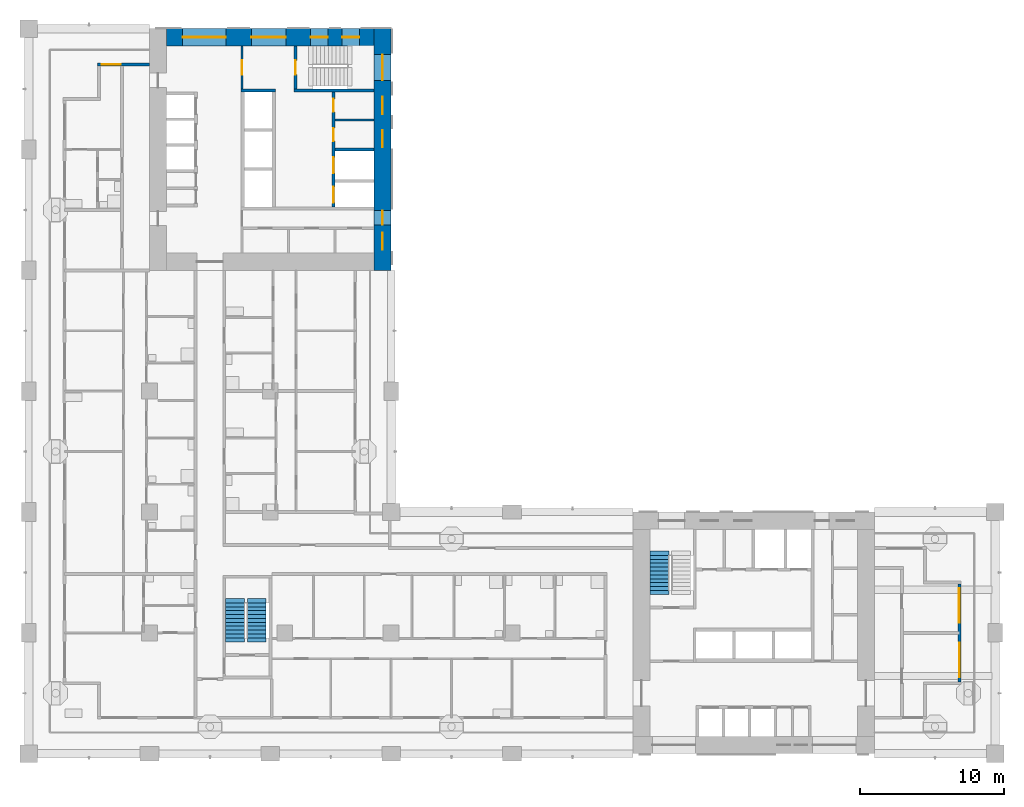
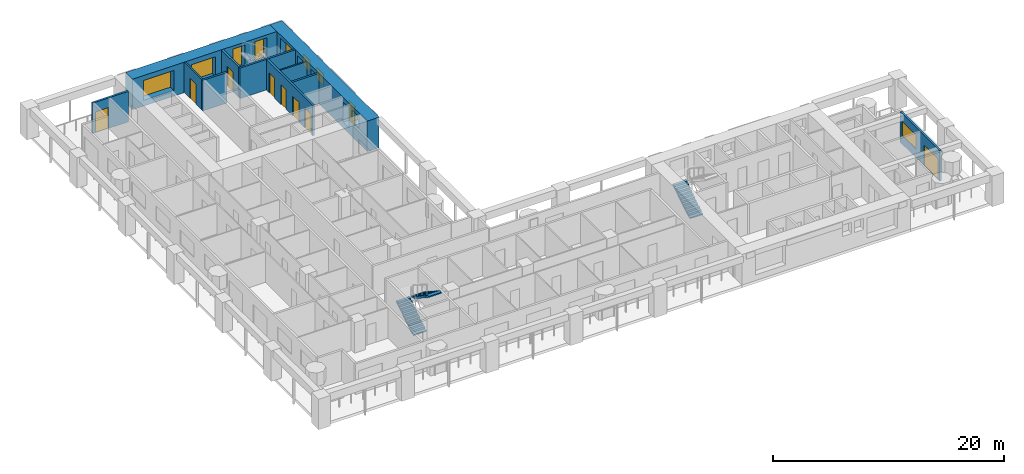
# One storey, part 8 of 19: 11 walls, 10 windows, 8 doors, 3 stair flights, 18 openings, 2 elements without a shape of their own.
"""IFC4 building model written with IfcOpenShell, lengths in metres."""

from ifc_helpers import new_model, si_unit, direction, frame, frame_2d, origin, place, context, subcontext, project, spatial, polyline, rectangle, outline, extrude, material, layer, layer_set, type_object, element, fill, aggregate, save


model = new_model("IFC4")

# Units and contexts
model_context = context("Model", 3, precision=1e-05, world=origin(), true_north=direction((0.0, 1.0)))
body_context = subcontext(model_context, "Body", "Model", "MODEL_VIEW")
ifc_project = project(units=[si_unit("LENGTHUNIT", "METRE"), si_unit("AREAUNIT", "SQUARE_METRE"), si_unit("VOLUMEUNIT", "CUBIC_METRE"), si_unit("PLANEANGLEUNIT", "RADIAN"), si_unit("MASSUNIT", "GRAM", prefix="KILO")], contexts=[model_context])

# Site, building, storey
site_placement = place(None, origin())
site = spatial("IfcSite", under=ifc_project, at=site_placement, CompositionType="ELEMENT")
building_placement = place(site_placement, origin())
building = spatial("IfcBuilding", under=site, at=building_placement, Name="Vermilion Gate Residences", CompositionType="ELEMENT")
storey_placement = place(building_placement, frame((0.0, 0.0, 119.699951171875)))
storey = spatial("IfcBuildingStorey", under=building, at=storey_placement, Name="L30", CompositionType="ELEMENT", Elevation=119.699951171875)

# Wall
ifc_material_1 = material(Name="Masonry blockwork", Category="masonry")
ifc_layer_1 = layer(ifc_material_1, 0.14990234375)
ifc_layer_set_1 = layer_set([ifc_layer_1], Name="BLOCKWORK PARTITION 150 EI 120")
wall_type_1 = type_object("IfcWallType", Name="BLOCKWORK PARTITION 150 EI 120", PredefinedType="PARTITIONING", material=ifc_layer_set_1)
wall_1_placement = place(storey_placement, frame((21.300048828125, 52.449951171875, 0.0), z_axis=(0.0, 0.0, 1.0), x_axis=(1.0, 0.0, 0.0)))
element("IfcWall", 1, at=wall_1_placement, inside=storey, type_object=wall_type_1, Name="Core room partition B30-NR-P0", PredefinedType="PARTITIONING", context=body_context, shape_type="SweptSolid", body=[
    extrude(rectangle(XDim=2.699951171875, YDim=0.14990234375, at=frame_2d((1.35009765625, 0.0))), origin(), (0.0, 0.0, 1.0), 3.219970703125),
])

# Wall, opening, door
wall_2_placement = place(storey_placement, frame((14.824951171875, 57.60009765625, 0.0), z_axis=(0.0, 0.0, 1.0), x_axis=(0.0, -1.0, 0.0)))
wall_2 = element("IfcWall", 2, at=wall_2_placement, inside=storey, type_object=wall_type_1, Name="Core room partition B30-VW-S", PredefinedType="PARTITIONING", context=body_context, shape_type="SweptSolid", body=[
    extrude(rectangle(XDim=3.0, YDim=0.14990234375, at=frame_2d((1.5, 0.0))), origin(), (0.0, 0.0, 1.0), 3.219970703125),
])
opening_1_placement = place(wall_2_placement, frame((1.0, 0.0, 0.0)))
opening_1 = element("IfcOpeningElement", 3, at=opening_1_placement, cuts=wall_2, Name="Opening DK30113", PredefinedType="OPENING", context=body_context, shape_type="SweptSolid", body=[
    extrude(rectangle(XDim=1.0, YDim=2.10009765625, at=frame_2d((0.5, 1.050048828125))), frame((0.0, 0.0849609375, 0.0), z_axis=(0.0, -1.0, 0.0), x_axis=(1.0, 0.0, 0.0)), (0.0, 0.0, 1.0), 0.169921875),
])
ifc_material_2 = material(Name="Steel", Category="steel")
door_type_1 = type_object("IfcDoorType", Name="FIRE DOOR FD60 1000 X 2100", OperationType="SINGLE_SWING_LEFT", PredefinedType="DOOR", material=ifc_material_2)
door_1_placement = place(opening_1_placement, frame((1.0, 0.0, 0.0), z_axis=(0.0, 0.0, 1.0), x_axis=(-1.0, 0.0, 0.0)))
door_1 = element("IfcDoor", 4, at=door_1_placement, inside=storey, type_object=door_type_1, Name="Stair vestibule door B30", OperationType="SINGLE_SWING_RIGHT", OverallHeight=2.10009765625, OverallWidth=1.0, PredefinedType="DOOR", context=body_context, shape_type="SweptSolid", body=[
    extrude(rectangle(XDim=1.0, YDim=2.10009765625, at=frame_2d((0.5, 1.050048828125))), frame((0.0, 0.02490234375, 0.0), z_axis=(0.0, -1.0, 0.0), x_axis=(1.0, 0.0, 0.0)), (0.0, 0.0, 1.0), 0.050048828125),
])
fill(opening_1, door_1)

ifc_material_3 = material(Name="Insulated steel stud wall with terracotta rainscreen", Category="masonry")
ifc_layer_2 = layer(ifc_material_3, 0.199951171875)
ifc_layer_set_2 = layer_set([ifc_layer_2], Name="EXTERNAL WALL 200 TERRACOTTA RAINSCREEN")
wall_type_2 = type_object("IfcWallType", Name="EXTERNAL WALL 200 TERRACOTTA RAINSCREEN", PredefinedType="SOLIDWALL", material=ifc_layer_set_2)
wall_3_placement = place(storey_placement, frame((8.39990234375, 56.300048828125, 0.0), z_axis=(0.0, 0.0, 1.0), x_axis=(-1.0, 0.0, 0.0)))
wall_3 = element("IfcWall", 5, at=wall_3_placement, inside=storey, type_object=wall_type_2, Name="External wall", PredefinedType="SOLIDWALL", context=body_context, shape_type="SweptSolid", body=[
    extrude(rectangle(XDim=3.599853515625, YDim=0.199951171875, at=frame_2d((1.7998046875, 0.0))), origin(), (0.0, 0.0, 1.0), 3.219970703125),
])
opening_2_placement = place(wall_3_placement, frame((2.0, 0.0, 0.0)))
opening_2 = element("IfcOpeningElement", 6, at=opening_2_placement, cuts=wall_3, Name="Opening DE30001", PredefinedType="OPENING", context=body_context, shape_type="SweptSolid", body=[
    extrude(rectangle(XDim=1.300048828125, YDim=2.199951171875, at=frame_2d((0.64990234375, 1.10009765625))), frame((0.0, 0.10986328125, 0.0), z_axis=(0.0, -1.0, 0.0), x_axis=(1.0, 0.0, 0.0)), (0.0, 0.0, 1.0), 0.219970703125),
])
ifc_material_4 = material(Name="Aluminium and clear glass", Category="aluminium")
door_type_2 = type_object("IfcDoorType", Name="SLIDING GLAZED DOOR 1300 X 2200", OperationType="DOUBLE_DOOR_SLIDING", PredefinedType="DOOR", material=ifc_material_4)
door_2_placement = place(opening_2_placement, origin())
door_2 = element("IfcDoor", 7, at=door_2_placement, inside=storey, type_object=door_type_2, Name="Loggia sliding door", OperationType="DOUBLE_DOOR_SLIDING", OverallHeight=2.199951171875, OverallWidth=1.300048828125, PredefinedType="DOOR", context=body_context, shape_type="SweptSolid", body=[
    extrude(rectangle(XDim=1.300048828125, YDim=2.199951171875, at=frame_2d((0.64990234375, 1.10009765625))), frame((0.0, 0.02490234375, 0.0), z_axis=(0.0, -1.0, 0.0), x_axis=(1.0, 0.0, 0.0)), (0.0, 0.0, 1.0), 0.050048828125),
])
fill(opening_2, door_2)

# Wall, openings, door, window
wall_4_placement = place(storey_placement, frame((64.699951171875, 13.39990234375, 0.0), z_axis=(0.0, 0.0, 1.0), x_axis=(0.0, 1.0, 0.0)))
wall_4 = element("IfcWall", 8, at=wall_4_placement, inside=storey, type_object=wall_type_2, Name="External wall", PredefinedType="SOLIDWALL", context=body_context, shape_type="SweptSolid", body=[
    extrude(rectangle(XDim=6.800048828125, YDim=0.199951171875, at=frame_2d((3.39990234375, 0.0))), origin(), (0.0, 0.0, 1.0), 3.219970703125),
])
opening_3_placement = place(wall_4_placement, frame((4.10009765625, 0.0, 0.89990234375)))
opening_3 = element("IfcOpeningElement", 9, at=opening_3_placement, cuts=wall_4, Name="Opening WE30022", PredefinedType="OPENING", context=body_context, shape_type="SweptSolid", body=[
    extrude(rectangle(XDim=2.39990234375, YDim=1.5, at=frame_2d((1.199951171875, 0.75))), frame((0.0, 0.10986328125, 0.0), z_axis=(0.0, -1.0, 0.0), x_axis=(1.0, 0.0, 0.0)), (0.0, 0.0, 1.0), 0.219970703125),
])
opening_4_placement = place(wall_4_placement, frame((0.300048828125, 0.0, 0.0)))
opening_4 = element("IfcOpeningElement", 10, at=opening_4_placement, cuts=wall_4, Name="Opening DE30028", PredefinedType="OPENING", context=body_context, shape_type="SweptSolid", body=[
    extrude(rectangle(XDim=2.39990234375, YDim=2.199951171875, at=frame_2d((1.199951171875, 1.10009765625))), frame((0.0, 0.10986328125, 0.0), z_axis=(0.0, -1.0, 0.0), x_axis=(1.0, 0.0, 0.0)), (0.0, 0.0, 1.0), 0.219970703125),
])
ifc_material_5 = material(Name="Aluminium and clear glass", Category="aluminium")
door_type_3 = type_object("IfcDoorType", Name="SLIDING GLAZED DOOR 2400 X 2200", OperationType="DOUBLE_DOOR_SLIDING", PredefinedType="DOOR", material=ifc_material_5)
door_3_placement = place(opening_4_placement, origin())
door_3 = element("IfcDoor", 11, at=door_3_placement, inside=storey, type_object=door_type_3, Name="Loggia sliding door", OperationType="DOUBLE_DOOR_SLIDING", OverallHeight=2.199951171875, OverallWidth=2.39990234375, PredefinedType="DOOR", context=body_context, shape_type="SweptSolid", body=[
    extrude(rectangle(XDim=2.39990234375, YDim=2.199951171875, at=frame_2d((1.199951171875, 1.10009765625))), frame((0.0, 0.02490234375, 0.0), z_axis=(0.0, -1.0, 0.0), x_axis=(1.0, 0.0, 0.0)), (0.0, 0.0, 1.0), 0.050048828125),
])
fill(opening_4, door_3)
ifc_material_6 = material(Name="Aluminium and clear glass", Category="aluminium")
window_type_1 = type_object("IfcWindowType", Name="WINDOW 2400 X 1500", PartitioningType="SINGLE_PANEL", PredefinedType="WINDOW", material=ifc_material_6)
window_1_placement = place(opening_3_placement, origin())
window_1 = element("IfcWindow", 12, at=window_1_placement, inside=storey, type_object=window_type_1, Name="Window", OverallHeight=1.5, OverallWidth=2.39990234375, PartitioningType="SINGLE_PANEL", PredefinedType="WINDOW", context=body_context, shape_type="SweptSolid", body=[
    extrude(rectangle(XDim=2.39990234375, YDim=1.5, at=frame_2d((1.199951171875, 0.75))), frame((0.0, 0.030029296875, 0.0), z_axis=(0.0, -1.0, 0.0), x_axis=(1.0, 0.0, 0.0)), (0.0, 0.0, 1.0), 0.06005859375),
])
fill(opening_3, window_1)

# Wall
ifc_material_7 = material(Name="Concrete C60", Category="concrete")
ifc_layer_3 = layer(ifc_material_7, 0.199951171875)
ifc_layer_set_3 = layer_set([ifc_layer_3], Name="RC CORE INTERNAL WALL 200 C60")
wall_type_3 = type_object("IfcWallType", Name="RC CORE INTERNAL WALL 200 C60", PredefinedType="SHEAR", material=ifc_layer_set_3)
wall_5_placement = place(storey_placement, frame((21.300048828125, 50.39990234375, 0.0), z_axis=(0.0, 0.0, 1.0), x_axis=(1.0, 0.0, 0.0)))
element("IfcWall", 13, at=wall_5_placement, inside=storey, type_object=wall_type_3, Name="Core internal wall B30-FF-D0", PredefinedType="SHEAR", context=body_context, shape_type="SweptSolid", body=[
    extrude(rectangle(XDim=2.699951171875, YDim=0.199951171875, at=frame_2d((1.35009765625, 0.0))), origin(), (0.0, 0.0, 1.0), 3.219970703125),
])

# Wall, openings, doors
wall_6_placement = place(storey_placement, frame((21.199951171875, 54.39990234375, 0.0), z_axis=(0.0, 0.0, 1.0), x_axis=(0.0, -1.0, 0.0)))
wall_6 = element("IfcWall", 14, at=wall_6_placement, inside=storey, type_object=wall_type_3, Name="Core internal wall B30-FF-F", PredefinedType="SHEAR", context=body_context, shape_type="SweptSolid", body=[
    extrude(rectangle(XDim=8.0, YDim=0.199951171875, at=frame_2d((4.0, 0.0))), origin(), (0.0, 0.0, 1.0), 3.219970703125),
])
opening_5_placement = place(wall_6_placement, frame((0.487548828125, 0.0, 0.0)))
opening_5 = element("IfcOpeningElement", 15, at=opening_5_placement, cuts=wall_6, Name="Opening DK30109", PredefinedType="OPENING", context=body_context, shape_type="SweptSolid", body=[
    extrude(rectangle(XDim=0.89990234375, YDim=2.10009765625, at=frame_2d((0.449951171875, 1.050048828125))), frame((0.0, 0.10986328125, 0.0), z_axis=(0.0, -1.0, 0.0), x_axis=(1.0, 0.0, 0.0)), (0.0, 0.0, 1.0), 0.219970703125),
])
opening_6_placement = place(wall_6_placement, frame((2.512451171875, 0.0, 0.0)))
opening_6 = element("IfcOpeningElement", 16, at=opening_6_placement, cuts=wall_6, Name="Opening DK30110", PredefinedType="OPENING", context=body_context, shape_type="SweptSolid", body=[
    extrude(rectangle(XDim=0.89990234375, YDim=2.10009765625, at=frame_2d((0.449951171875, 1.050048828125))), frame((0.0, 0.10986328125, 0.0), z_axis=(0.0, -1.0, 0.0), x_axis=(1.0, 0.0, 0.0)), (0.0, 0.0, 1.0), 0.219970703125),
])
opening_7_placement = place(wall_6_placement, frame((4.550048828125, 0.0, 0.0)))
opening_7 = element("IfcOpeningElement", 17, at=opening_7_placement, cuts=wall_6, Name="Opening LD", PredefinedType="OPENING", context=body_context, shape_type="SweptSolid", body=[
    extrude(rectangle(XDim=1.10009765625, YDim=2.10009765625, at=frame_2d((0.550048828125, 1.050048828125))), frame((0.0, 0.10986328125, 0.0), z_axis=(0.0, -1.0, 0.0), x_axis=(1.0, 0.0, 0.0)), (0.0, 0.0, 1.0), 0.219970703125),
])
opening_8_placement = place(wall_6_placement, frame((6.60009765625, 0.0, 0.0)))
opening_8 = element("IfcOpeningElement", 18, at=opening_8_placement, cuts=wall_6, Name="Opening LD", PredefinedType="OPENING", context=body_context, shape_type="SweptSolid", body=[
    extrude(rectangle(XDim=1.10009765625, YDim=2.10009765625, at=frame_2d((0.550048828125, 1.050048828125))), frame((0.0, 0.10986328125, 0.0), z_axis=(0.0, -1.0, 0.0), x_axis=(1.0, 0.0, 0.0)), (0.0, 0.0, 1.0), 0.219970703125),
])
ifc_material_8 = material(Name="Stainless steel", Category="steel")
door_type_4 = type_object("IfcDoorType", Name="LIFT LANDING DOOR E60 1100 X 2100", OperationType="DOUBLE_DOOR_SLIDING", PredefinedType="DOOR", material=ifc_material_8)
door_4_placement = place(opening_7_placement, origin())
door_4 = element("IfcDoor", 19, at=door_4_placement, inside=storey, type_object=door_type_4, Name="Lift landing door LFB1", OperationType="DOUBLE_DOOR_SLIDING", OverallHeight=2.10009765625, OverallWidth=1.10009765625, PredefinedType="DOOR", context=body_context, shape_type="SweptSolid", body=[
    extrude(rectangle(XDim=1.10009765625, YDim=2.10009765625, at=frame_2d((0.550048828125, 1.050048828125))), frame((0.0, 0.02490234375, 0.0), z_axis=(0.0, -1.0, 0.0), x_axis=(1.0, 0.0, 0.0)), (0.0, 0.0, 1.0), 0.050048828125),
])
fill(opening_7, door_4)
door_5_placement = place(opening_8_placement, origin())
door_5 = element("IfcDoor", 20, at=door_5_placement, inside=storey, type_object=door_type_4, Name="Lift landing door LCB1", OperationType="DOUBLE_DOOR_SLIDING", OverallHeight=2.10009765625, OverallWidth=1.10009765625, PredefinedType="DOOR", context=body_context, shape_type="SweptSolid", body=[
    extrude(rectangle(XDim=1.10009765625, YDim=2.10009765625, at=frame_2d((0.550048828125, 1.050048828125))), frame((0.0, 0.02490234375, 0.0), z_axis=(0.0, -1.0, 0.0), x_axis=(1.0, 0.0, 0.0)), (0.0, 0.0, 1.0), 0.050048828125),
])
fill(opening_8, door_5)
ifc_material_9 = material(Name="Steel", Category="steel")
door_type_5 = type_object("IfcDoorType", Name="SERVICE ROOM DOOR FD60 900 X 2100", OperationType="SINGLE_SWING_LEFT", PredefinedType="DOOR", material=ifc_material_9)
door_6_placement = place(opening_5_placement, origin())
door_6 = element("IfcDoor", 21, at=door_6_placement, inside=storey, type_object=door_type_5, Name="Communications riser B30", OperationType="SINGLE_SWING_RIGHT", OverallHeight=2.10009765625, OverallWidth=0.89990234375, PredefinedType="DOOR", context=body_context, shape_type="SweptSolid", body=[
    extrude(rectangle(XDim=0.89990234375, YDim=2.10009765625, at=frame_2d((0.449951171875, 1.050048828125))), frame((0.0, 0.02490234375, 0.0), z_axis=(0.0, -1.0, 0.0), x_axis=(1.0, 0.0, 0.0)), (0.0, 0.0, 1.0), 0.050048828125),
])
fill(opening_5, door_6)
door_7_placement = place(opening_6_placement, origin())
door_7 = element("IfcDoor", 22, at=door_7_placement, inside=storey, type_object=door_type_5, Name="Refuse room B30", OperationType="SINGLE_SWING_RIGHT", OverallHeight=2.10009765625, OverallWidth=0.89990234375, PredefinedType="DOOR", context=body_context, shape_type="SweptSolid", body=[
    extrude(rectangle(XDim=0.89990234375, YDim=2.10009765625, at=frame_2d((0.449951171875, 1.050048828125))), frame((0.0, 0.02490234375, 0.0), z_axis=(0.0, -1.0, 0.0), x_axis=(1.0, 0.0, 0.0)), (0.0, 0.0, 1.0), 0.050048828125),
])
fill(opening_6, door_7)

# Walls
wall_7_placement = place(storey_placement, frame((14.75, 54.5, 0.0), z_axis=(0.0, 0.0, 1.0), x_axis=(1.0, 0.0, 0.0)))
element("IfcWall", 23, at=wall_7_placement, inside=storey, type_object=wall_type_3, Name="Core internal wall B30-WDIV1", PredefinedType="SHEAR", context=body_context, shape_type="SweptSolid", body=[
    extrude(rectangle(XDim=2.39990234375, YDim=0.199951171875, at=frame_2d((1.199951171875, 0.0))), origin(), (0.0, 0.0, 1.0), 3.219970703125),
])
wall_8_placement = place(storey_placement, frame((18.449951171875, 54.5, 0.0), z_axis=(0.0, 0.0, 1.0), x_axis=(1.0, 0.0, 0.0)))
element("IfcWall", 24, at=wall_8_placement, inside=storey, type_object=wall_type_3, Name="Core internal wall B30-WDIV2", PredefinedType="SHEAR", context=body_context, shape_type="SweptSolid", body=[
    extrude(rectangle(XDim=5.550048828125, YDim=0.199951171875, at=frame_2d((2.77490234375, 0.0))), origin(), (0.0, 0.0, 1.0), 3.219970703125),
])

# Wall, opening, door
wall_9_placement = place(storey_placement, frame((18.550048828125, 57.60009765625, 0.0), z_axis=(0.0, 0.0, 1.0), x_axis=(0.0, -1.0, 0.0)))
wall_9 = element("IfcWall", 25, at=wall_9_placement, inside=storey, type_object=wall_type_3, Name="Core internal wall B30-STW-S", PredefinedType="SHEAR", context=body_context, shape_type="SweptSolid", body=[
    extrude(rectangle(XDim=3.0, YDim=0.199951171875, at=frame_2d((1.5, 0.0))), origin(), (0.0, 0.0, 1.0), 3.219970703125),
])
opening_9_placement = place(wall_9_placement, frame((1.0, 0.0, 0.0)))
opening_9 = element("IfcOpeningElement", 26, at=opening_9_placement, cuts=wall_9, Name="Opening DK30114", PredefinedType="OPENING", context=body_context, shape_type="SweptSolid", body=[
    extrude(rectangle(XDim=1.0, YDim=2.10009765625, at=frame_2d((0.5, 1.050048828125))), frame((0.0, 0.10986328125, 0.0), z_axis=(0.0, -1.0, 0.0), x_axis=(1.0, 0.0, 0.0)), (0.0, 0.0, 1.0), 0.219970703125),
])
door_8_placement = place(opening_9_placement, origin())
door_8 = element("IfcDoor", 27, at=door_8_placement, inside=storey, type_object=door_type_1, Name="Stair door B30", OperationType="SINGLE_SWING_LEFT", OverallHeight=2.10009765625, OverallWidth=1.0, PredefinedType="DOOR", context=body_context, shape_type="SweptSolid", body=[
    extrude(rectangle(XDim=1.0, YDim=2.10009765625, at=frame_2d((0.5, 1.050048828125))), frame((0.0, 0.02490234375, 0.0), z_axis=(0.0, -1.0, 0.0), x_axis=(1.0, 0.0, 0.0)), (0.0, 0.0, 1.0), 0.050048828125),
])
fill(opening_9, door_8)

# Wall, openings, windows
ifc_material_10 = material(Name="Concrete C70 red-oxide pigmented", Category="concrete")
ifc_layer_4 = layer(ifc_material_10, 1.199951171875)
ifc_layer_set_4 = layer_set([ifc_layer_4], Name="RC CORE WALL 1200 C70 RED OXIDE")
wall_type_4 = type_object("IfcWallType", Name="RC CORE WALL 1200 C70 RED OXIDE", PredefinedType="SHEAR", material=ifc_layer_set_4)
wall_10_placement = place(storey_placement, frame((24.60009765625, 58.800048828125, 0.0), z_axis=(0.0, 0.0, 1.0), x_axis=(0.0, -1.0, 0.0)))
wall_10 = element("IfcWall", 28, at=wall_10_placement, inside=storey, type_object=wall_type_4, Name="Core wall B30-OUT-B1", PredefinedType="SHEAR", context=body_context, shape_type="SweptSolid", body=[
    extrude(rectangle(XDim=16.800048828125, YDim=1.199951171875, at=frame_2d((8.39990234375, 0.0))), origin(), (0.0, 0.0, 1.0), 3.219970703125),
])
opening_10_placement = place(wall_10_placement, frame((1.800048828125, 0.0, 0.5)))
opening_10 = element("IfcOpeningElement", 29, at=opening_10_placement, cuts=wall_10, Name="Opening WKB3001", PredefinedType="OPENING", context=body_context, shape_type="SweptSolid", body=[
    extrude(rectangle(XDim=1.800048828125, YDim=2.39990234375, at=frame_2d((0.89990234375, 1.199951171875))), frame((0.0, 0.60986328125, 0.0), z_axis=(0.0, -1.0, 0.0), x_axis=(1.0, 0.0, 0.0)), (0.0, 0.0, 1.0), 1.219970703125),
])
opening_11_placement = place(wall_10_placement, frame((4.737548828125, 0.0, 1.60009765625)))
opening_11 = element("IfcOpeningElement", 30, at=opening_11_placement, cuts=wall_10, Name="Opening WKB3002", PredefinedType="OPENING", context=body_context, shape_type="SweptSolid", body=[
    extrude(rectangle(XDim=1.199951171875, YDim=1.199951171875, at=frame_2d((0.60009765625, 0.60009765625))), frame((0.0, 0.60986328125, 0.0), z_axis=(0.0, -1.0, 0.0), x_axis=(1.0, 0.0, 0.0)), (0.0, 0.0, 1.0), 1.219970703125),
])
opening_12_placement = place(wall_10_placement, frame((7.050048828125, 0.0, 1.60009765625)))
opening_12 = element("IfcOpeningElement", 31, at=opening_12_placement, cuts=wall_10, Name="Opening WKB3003", PredefinedType="OPENING", context=body_context, shape_type="SweptSolid", body=[
    extrude(rectangle(XDim=1.199951171875, YDim=1.199951171875, at=frame_2d((0.60009765625, 0.60009765625))), frame((0.0, 0.60986328125, 0.0), z_axis=(0.0, -1.0, 0.0), x_axis=(1.0, 0.0, 0.0)), (0.0, 0.0, 1.0), 1.219970703125),
])
opening_13_placement = place(wall_10_placement, frame((12.64990234375, 0.0, 0.60009765625)))
opening_13 = element("IfcOpeningElement", 32, at=opening_13_placement, cuts=wall_10, Name="Opening WKB3004", PredefinedType="OPENING", context=body_context, shape_type="SweptSolid", body=[
    extrude(rectangle(XDim=1.0, YDim=2.10009765625, at=frame_2d((0.5, 1.050048828125))), frame((0.0, 0.60986328125, 0.0), z_axis=(0.0, -1.0, 0.0), x_axis=(1.0, 0.0, 0.0)), (0.0, 0.0, 1.0), 1.219970703125),
])
opening_14_placement = place(wall_10_placement, frame((14.175048828125, 0.0, 1.60009765625)))
opening_14 = element("IfcOpeningElement", 33, at=opening_14_placement, cuts=wall_10, Name="Opening WKB3005", PredefinedType="OPENING", context=body_context, shape_type="SweptSolid", body=[
    extrude(rectangle(XDim=1.199951171875, YDim=1.199951171875, at=frame_2d((0.60009765625, 0.60009765625))), frame((0.0, 0.60986328125, 0.0), z_axis=(0.0, -1.0, 0.0), x_axis=(1.0, 0.0, 0.0)), (0.0, 0.0, 1.0), 1.219970703125),
])
ifc_material_11 = material(Name="Aluminium and clear glass", Category="aluminium")
window_type_2 = type_object("IfcWindowType", Name="CORE CORRIDOR WINDOW 1000 X 2100", PartitioningType="SINGLE_PANEL", PredefinedType="WINDOW", material=ifc_material_11)
window_2_placement = place(opening_13_placement, origin())
window_2 = element("IfcWindow", 34, at=window_2_placement, inside=storey, type_object=window_type_2, Name="Core corridor window", OverallHeight=2.10009765625, OverallWidth=1.0, PartitioningType="SINGLE_PANEL", PredefinedType="WINDOW", context=body_context, shape_type="SweptSolid", body=[
    extrude(rectangle(XDim=1.0, YDim=2.10009765625, at=frame_2d((0.5, 1.050048828125))), frame((0.0, 0.030029296875, 0.0), z_axis=(0.0, -1.0, 0.0), x_axis=(1.0, 0.0, 0.0)), (0.0, 0.0, 1.0), 0.06005859375),
])
fill(opening_13, window_2)
ifc_material_12 = material(Name="Aluminium frame with louvre blades", Category="aluminium")
window_type_3 = type_object("IfcWindowType", Name="CORE LOUVRE 1200 X 1200", PartitioningType="SINGLE_PANEL", PredefinedType="WINDOW", material=ifc_material_12)
window_3_placement = place(opening_11_placement, origin())
window_3 = element("IfcWindow", 35, at=window_3_placement, inside=storey, type_object=window_type_3, Name="Core louvre", OverallHeight=1.199951171875, OverallWidth=1.199951171875, PartitioningType="SINGLE_PANEL", PredefinedType="WINDOW", context=body_context, shape_type="SweptSolid", body=[
    extrude(rectangle(XDim=1.199951171875, YDim=1.199951171875, at=frame_2d((0.60009765625, 0.60009765625))), frame((0.0, 0.030029296875, 0.0), z_axis=(0.0, -1.0, 0.0), x_axis=(1.0, 0.0, 0.0)), (0.0, 0.0, 1.0), 0.06005859375),
])
fill(opening_11, window_3)
window_4_placement = place(opening_12_placement, origin())
window_4 = element("IfcWindow", 36, at=window_4_placement, inside=storey, type_object=window_type_3, Name="Core louvre", OverallHeight=1.199951171875, OverallWidth=1.199951171875, PartitioningType="SINGLE_PANEL", PredefinedType="WINDOW", context=body_context, shape_type="SweptSolid", body=[
    extrude(rectangle(XDim=1.199951171875, YDim=1.199951171875, at=frame_2d((0.60009765625, 0.60009765625))), frame((0.0, 0.030029296875, 0.0), z_axis=(0.0, -1.0, 0.0), x_axis=(1.0, 0.0, 0.0)), (0.0, 0.0, 1.0), 0.06005859375),
])
fill(opening_12, window_4)
window_5_placement = place(opening_14_placement, origin())
window_5 = element("IfcWindow", 37, at=window_5_placement, inside=storey, type_object=window_type_3, Name="Core louvre", OverallHeight=1.199951171875, OverallWidth=1.199951171875, PartitioningType="SINGLE_PANEL", PredefinedType="WINDOW", context=body_context, shape_type="SweptSolid", body=[
    extrude(rectangle(XDim=1.199951171875, YDim=1.199951171875, at=frame_2d((0.60009765625, 0.60009765625))), frame((0.0, 0.030029296875, 0.0), z_axis=(0.0, -1.0, 0.0), x_axis=(1.0, 0.0, 0.0)), (0.0, 0.0, 1.0), 0.06005859375),
])
fill(opening_14, window_5)
ifc_material_13 = material(Name="Aluminium and clear glass", Category="aluminium")
window_type_4 = type_object("IfcWindowType", Name="CORE STAIR WINDOW 1800 X 2400", PartitioningType="SINGLE_PANEL", PredefinedType="WINDOW", material=ifc_material_13)
window_6_placement = place(opening_10_placement, origin())
window_6 = element("IfcWindow", 38, at=window_6_placement, inside=storey, type_object=window_type_4, Name="Core stair window", OverallHeight=2.39990234375, OverallWidth=1.800048828125, PartitioningType="SINGLE_PANEL", PredefinedType="WINDOW", context=body_context, shape_type="SweptSolid", body=[
    extrude(rectangle(XDim=1.800048828125, YDim=2.39990234375, at=frame_2d((0.89990234375, 1.199951171875))), frame((0.0, 0.030029296875, 0.0), z_axis=(0.0, -1.0, 0.0), x_axis=(1.0, 0.0, 0.0)), (0.0, 0.0, 1.0), 0.06005859375),
])
fill(opening_10, window_6)

wall_11_placement = place(storey_placement, frame((9.60009765625, 58.199951171875, 0.0), z_axis=(0.0, 0.0, 1.0), x_axis=(1.0, 0.0, 0.0)))
wall_11 = element("IfcWall", 39, at=wall_11_placement, inside=storey, type_object=wall_type_4, Name="Core wall B30-OUT-FR", PredefinedType="SHEAR", context=body_context, shape_type="SweptSolid", body=[
    extrude(rectangle(XDim=14.39990234375, YDim=1.199951171875, at=frame_2d((7.199951171875, 0.0))), origin(), (0.0, 0.0, 1.0), 3.219970703125),
])
opening_15_placement = place(wall_11_placement, frame((1.10498046875, 0.0, 0.60009765625)))
opening_15 = element("IfcOpeningElement", 40, at=opening_15_placement, cuts=wall_11, Name="Opening WKB3006", PredefinedType="OPENING", context=body_context, shape_type="SweptSolid", body=[
    extrude(rectangle(XDim=3.0, YDim=2.10009765625, at=frame_2d((1.5, 1.050048828125))), frame((0.0, 0.60986328125, 0.0), z_axis=(0.0, -1.0, 0.0), x_axis=(1.0, 0.0, 0.0)), (0.0, 0.0, 1.0), 1.219970703125),
])
opening_16_placement = place(wall_11_placement, frame((5.875, 0.0, 0.60009765625)))
opening_16 = element("IfcOpeningElement", 41, at=opening_16_placement, cuts=wall_11, Name="Opening WKB3007", PredefinedType="OPENING", context=body_context, shape_type="SweptSolid", body=[
    extrude(rectangle(XDim=2.39990234375, YDim=2.10009765625, at=frame_2d((1.199951171875, 1.050048828125))), frame((0.0, 0.60986328125, 0.0), z_axis=(0.0, -1.0, 0.0), x_axis=(1.0, 0.0, 0.0)), (0.0, 0.0, 1.0), 1.219970703125),
])
opening_17_placement = place(wall_11_placement, frame((9.993408203125, 0.0, 0.5)))
opening_17 = element("IfcOpeningElement", 42, at=opening_17_placement, cuts=wall_11, Name="Opening WKB3008", PredefinedType="OPENING", context=body_context, shape_type="SweptSolid", body=[
    extrude(rectangle(XDim=1.199951171875, YDim=2.39990234375, at=frame_2d((0.60009765625, 1.199951171875))), frame((0.0, 0.60986328125, 0.0), z_axis=(0.0, -1.0, 0.0), x_axis=(1.0, 0.0, 0.0)), (0.0, 0.0, 1.0), 1.219970703125),
])
opening_18_placement = place(wall_11_placement, frame((12.19677734375, 0.0, 0.5)))
opening_18 = element("IfcOpeningElement", 43, at=opening_18_placement, cuts=wall_11, Name="Opening WKB3009", PredefinedType="OPENING", context=body_context, shape_type="SweptSolid", body=[
    extrude(rectangle(XDim=1.199951171875, YDim=2.39990234375, at=frame_2d((0.60009765625, 1.199951171875))), frame((0.0, 0.60986328125, 0.0), z_axis=(0.0, -1.0, 0.0), x_axis=(1.0, 0.0, 0.0)), (0.0, 0.0, 1.0), 1.219970703125),
])
ifc_material_14 = material(Name="Aluminium and clear glass", Category="aluminium")
window_type_5 = type_object("IfcWindowType", Name="CORE LOBBY WINDOW 2400 X 2100", PartitioningType="SINGLE_PANEL", PredefinedType="WINDOW", material=ifc_material_14)
window_7_placement = place(opening_16_placement, origin())
window_7 = element("IfcWindow", 44, at=window_7_placement, inside=storey, type_object=window_type_5, Name="Core lobby window", OverallHeight=2.10009765625, OverallWidth=2.39990234375, PartitioningType="SINGLE_PANEL", PredefinedType="WINDOW", context=body_context, shape_type="SweptSolid", body=[
    extrude(rectangle(XDim=2.39990234375, YDim=2.10009765625, at=frame_2d((1.199951171875, 1.050048828125))), frame((0.0, 0.030029296875, 0.0), z_axis=(0.0, -1.0, 0.0), x_axis=(1.0, 0.0, 0.0)), (0.0, 0.0, 1.0), 0.06005859375),
])
fill(opening_16, window_7)
ifc_material_15 = material(Name="Aluminium and clear glass", Category="aluminium")
window_type_6 = type_object("IfcWindowType", Name="CORE LOBBY WINDOW 3000 X 2100", PartitioningType="SINGLE_PANEL", PredefinedType="WINDOW", material=ifc_material_15)
window_8_placement = place(opening_15_placement, origin())
window_8 = element("IfcWindow", 45, at=window_8_placement, inside=storey, type_object=window_type_6, Name="Core lobby window", OverallHeight=2.10009765625, OverallWidth=3.0, PartitioningType="SINGLE_PANEL", PredefinedType="WINDOW", context=body_context, shape_type="SweptSolid", body=[
    extrude(rectangle(XDim=3.0, YDim=2.10009765625, at=frame_2d((1.5, 1.050048828125))), frame((0.0, 0.030029296875, 0.0), z_axis=(0.0, -1.0, 0.0), x_axis=(1.0, 0.0, 0.0)), (0.0, 0.0, 1.0), 0.06005859375),
])
fill(opening_15, window_8)
ifc_material_16 = material(Name="Aluminium and clear glass", Category="aluminium")
window_type_7 = type_object("IfcWindowType", Name="CORE STAIR WINDOW 1200 X 2400", PartitioningType="SINGLE_PANEL", PredefinedType="WINDOW", material=ifc_material_16)
window_9_placement = place(opening_17_placement, origin())
window_9 = element("IfcWindow", 46, at=window_9_placement, inside=storey, type_object=window_type_7, Name="Core stair window", OverallHeight=2.39990234375, OverallWidth=1.199951171875, PartitioningType="SINGLE_PANEL", PredefinedType="WINDOW", context=body_context, shape_type="SweptSolid", body=[
    extrude(rectangle(XDim=1.199951171875, YDim=2.39990234375, at=frame_2d((0.60009765625, 1.199951171875))), frame((0.0, 0.030029296875, 0.0), z_axis=(0.0, -1.0, 0.0), x_axis=(1.0, 0.0, 0.0)), (0.0, 0.0, 1.0), 0.06005859375),
])
fill(opening_17, window_9)
window_10_placement = place(opening_18_placement, origin())
window_10 = element("IfcWindow", 47, at=window_10_placement, inside=storey, type_object=window_type_7, Name="Core stair window", OverallHeight=2.39990234375, OverallWidth=1.199951171875, PartitioningType="SINGLE_PANEL", PredefinedType="WINDOW", context=body_context, shape_type="SweptSolid", body=[
    extrude(rectangle(XDim=1.199951171875, YDim=2.39990234375, at=frame_2d((0.60009765625, 1.199951171875))), frame((0.0, 0.030029296875, 0.0), z_axis=(0.0, -1.0, 0.0), x_axis=(1.0, 0.0, 0.0)), (0.0, 0.0, 1.0), 0.06005859375),
])
fill(opening_18, window_10)

# Stair, stair flight
ifc_material_17 = material(Name="Concrete C50", Category="concrete")
stair_type = type_object("IfcStairType", Name="SPECIAL ESCAPE STAIR 1300", PredefinedType="HALF_TURN_STAIR", material=ifc_material_17)
stair_1_placement = place(storey_placement, origin())
stair_1 = element("IfcStair", 48, at=stair_1_placement, inside=storey, type_object=stair_type, Name="Special escape stair STA1-30", PredefinedType="HALF_TURN_STAIR")
ifc_material_18 = material(Name="Concrete C50", Category="concrete")
stair_flight_type = type_object("IfcStairFlightType", Name="STAIR FLIGHT 1300 RC C50", PredefinedType="STRAIGHT", material=ifc_material_18)
stair_flight_1_placement = place(storey_placement, frame((43.85009765625, 19.75, 0.0), z_axis=(0.0, 0.0, 1.0), x_axis=(0.0, 1.0, 0.0)))
stair_flight_1 = element("IfcStairFlight", 49, at=stair_flight_1_placement, type_object=stair_flight_type, Name="STA1-30 flight 1", NumberOfRisers=10, NumberOfTreads=9, PredefinedType="STRAIGHT", RiserHeight=0.175, TreadLength=0.27, context=body_context, shape_type="SweptSolid", body=[
    extrude(outline(polyline([(-0.300048828125, -0.14990234375), (-0.300048828125, -0.030029296875), (0.0, 0.0), (0.0, 0.175048828125), (0.27001953125, 0.175048828125), (0.27001953125, 0.35009765625), (0.5400390625, 0.35009765625), (0.5400390625, 0.52490234375), (0.81005859375, 0.52490234375), (0.81005859375, 0.699951171875), (1.080078125, 0.699951171875), (1.080078125, 0.875), (1.35009765625, 0.875), (1.35009765625, 1.050048828125), (1.6201171875, 1.050048828125), (1.6201171875, 1.22509765625), (1.889892578125, 1.22509765625), (1.889892578125, 1.39990234375), (2.159912109375, 1.39990234375), (2.159912109375, 1.574951171875), (2.429931640625, 1.574951171875), (2.429931640625, 1.75), (2.72998046875, 1.719970703125), (2.72998046875, 1.60009765625), (2.429931640625, 1.396484375), (0.275634765625, 0.0), (-0.300048828125, -0.14990234375)])), frame((0.0, 0.64990234375, 0.0), z_axis=(0.0, -1.0, 0.0), x_axis=(1.0, 0.0, 0.0)), (0.0, 0.0, 1.0), 1.300048828125),
])
aggregate(stair_1, [stair_flight_1])

# Stair, stair flights
stair_2_placement = place(storey_placement, origin())
stair_2 = element("IfcStair", 50, at=stair_2_placement, inside=storey, type_object=stair_type, Name="Special escape stair STC1-30", PredefinedType="HALF_TURN_STAIR")
stair_flight_2_placement = place(storey_placement, frame((14.35009765625, 16.449951171875, 0.0), z_axis=(0.0, 0.0, 1.0), x_axis=(0.0, 1.0, 0.0)))
stair_flight_2 = element("IfcStairFlight", 51, at=stair_flight_2_placement, type_object=stair_flight_type, Name="STC1-30 flight 1", NumberOfRisers=10, NumberOfTreads=9, PredefinedType="STRAIGHT", RiserHeight=0.175, TreadLength=0.27, context=body_context, shape_type="SweptSolid", body=[
    extrude(outline(polyline([(-0.300048828125, -0.14990234375), (-0.300048828125, -0.030029296875), (0.0, 0.0), (0.0, 0.175048828125), (0.27001953125, 0.175048828125), (0.27001953125, 0.35009765625), (0.5400390625, 0.35009765625), (0.5400390625, 0.52490234375), (0.81005859375, 0.52490234375), (0.81005859375, 0.699951171875), (1.080078125, 0.699951171875), (1.080078125, 0.875), (1.35009765625, 0.875), (1.35009765625, 1.050048828125), (1.6201171875, 1.050048828125), (1.6201171875, 1.22509765625), (1.889892578125, 1.22509765625), (1.889892578125, 1.39990234375), (2.159912109375, 1.39990234375), (2.159912109375, 1.574951171875), (2.429931640625, 1.574951171875), (2.429931640625, 1.75), (2.72998046875, 1.719970703125), (2.72998046875, 1.60009765625), (2.429931640625, 1.396484375), (0.275634765625, 0.0), (-0.300048828125, -0.14990234375)])), frame((0.0, 0.64990234375, 0.0), z_axis=(0.0, -1.0, 0.0), x_axis=(1.0, 0.0, 0.0)), (0.0, 0.0, 1.0), 1.300048828125),
])
stair_flight_3_placement = place(storey_placement, frame((15.85009765625, 18.8798828125, 1.75), z_axis=(0.0, 0.0, 1.0), x_axis=(0.0, -1.0, 0.0)))
stair_flight_3 = element("IfcStairFlight", 52, at=stair_flight_3_placement, type_object=stair_flight_type, Name="STC1-30 flight 2", NumberOfRisers=10, NumberOfTreads=9, PredefinedType="STRAIGHT", RiserHeight=0.175, TreadLength=0.27, context=body_context, shape_type="SweptSolid", body=[
    extrude(outline(polyline([(-0.300048828125, -0.14990234375), (-0.300048828125, -0.030029296875), (0.0, 0.0), (0.0, 0.175048828125), (0.27001953125, 0.175048828125), (0.27001953125, 0.35009765625), (0.5400390625, 0.35009765625), (0.5400390625, 0.52490234375), (0.81005859375, 0.52490234375), (0.81005859375, 0.699951171875), (1.080078125, 0.699951171875), (1.080078125, 0.875), (1.35009765625, 0.875), (1.35009765625, 1.050048828125), (1.6201171875, 1.050048828125), (1.6201171875, 1.22509765625), (1.889892578125, 1.22509765625), (1.889892578125, 1.39990234375), (2.159912109375, 1.39990234375), (2.159912109375, 1.574951171875), (2.429931640625, 1.574951171875), (2.429931640625, 1.75), (2.72998046875, 1.719970703125), (2.72998046875, 1.60009765625), (2.429931640625, 1.396484375), (0.275634765625, 0.0), (-0.300048828125, -0.14990234375)])), frame((0.0, 0.64990234375, 0.0), z_axis=(0.0, -1.0, 0.0), x_axis=(1.0, 0.0, 0.0)), (0.0, 0.0, 1.0), 1.300048828125),
])
aggregate(stair_2, [stair_flight_2, stair_flight_3])

save(model, "model.ifc")
